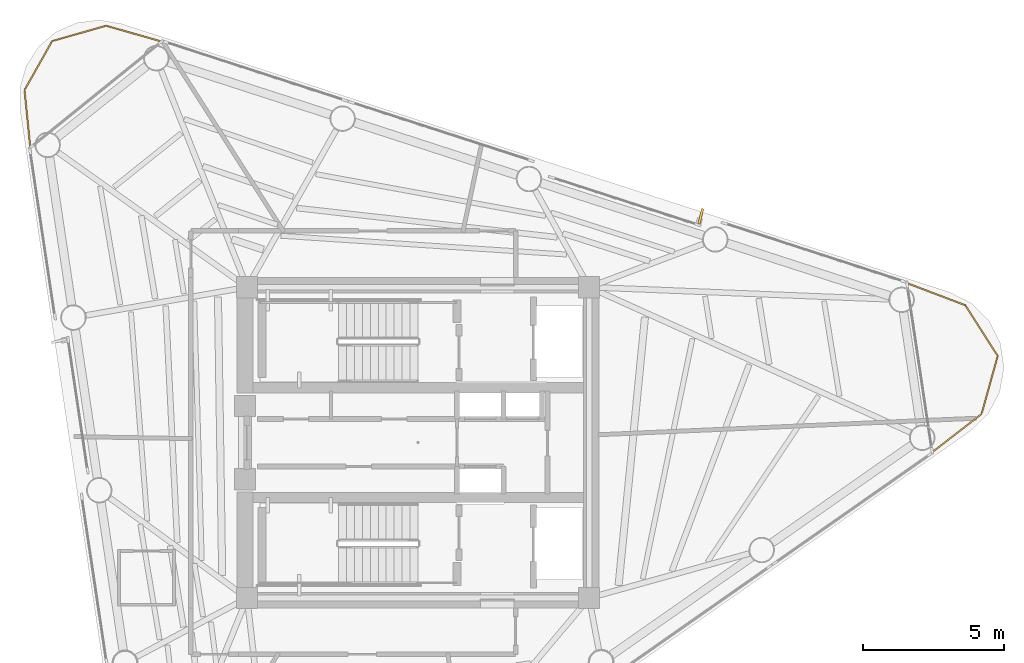
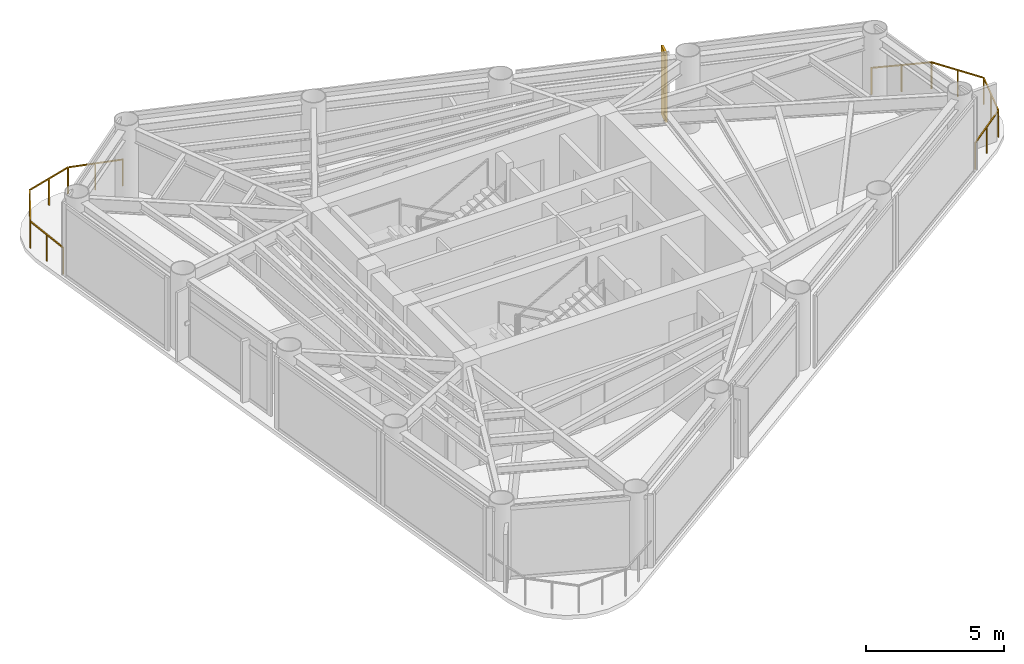
# One storey, part 9 of 9: 2 railings, 1 shading device.
"""IFC4 building model written with IfcOpenShell, lengths in metres."""

from ifc_helpers import new_model, si_unit, direction, frame, origin, origin_2d, place, context, subcontext, project, spatial, rectangle, extrude, source, transform, mapped, material, material_profile, profile_set, type_object, element, save


model = new_model("IFC4")

# Units and contexts
model_context = context("Model", 3, precision=1e-05, world=origin(), true_north=direction((0.0, 1.0)))
body_context = subcontext(model_context, "Body", "Model", "MODEL_VIEW")
ifc_project = project(units=[si_unit("LENGTHUNIT", "METRE"), si_unit("AREAUNIT", "SQUARE_METRE"), si_unit("VOLUMEUNIT", "CUBIC_METRE"), si_unit("PLANEANGLEUNIT", "RADIAN"), si_unit("MASSUNIT", "GRAM", prefix="KILO")], contexts=[model_context])

# Site, building, storey
site_placement = place(None, origin())
site = spatial("IfcSite", under=ifc_project, at=site_placement, CompositionType="ELEMENT")
building_placement = place(site_placement, origin())
building = spatial("IfcBuilding", under=site, at=building_placement, Name="Yunling Apex Tower", CompositionType="ELEMENT")
storey_placement = place(building_placement, frame((0.0, 0.0, 281.35009765625)))
storey = spatial("IfcBuildingStorey", under=building, at=storey_placement, Name="L69", CompositionType="ELEMENT", Elevation=281.35009765625)

# Railings
ifc_material = material(Name="Bronze anodised aluminium", Category="aluminium")
railing_type = type_object("IfcRailingType", Name="RL-BAL-1200", PredefinedType="BALUSTRADE", material=ifc_material)
railing_1_placement = place(storey_placement, frame((17.301513671875, 5.64208984375, 0.0)))
element("IfcRailing", 1, at=railing_1_placement, inside=storey, type_object=railing_type, Name="RL-CRNSILL-L69-1", PredefinedType="BALUSTRADE", context=body_context, shape_type="SweptSolid", body=[
    extrude(rectangle(XDim=0.0439453125, YDim=0.0439453125, at=origin_2d()), origin(), (0.0, 0.0, 1.0), 1.199951171875),
    extrude(rectangle(XDim=0.0439453125, YDim=0.0439453125, at=origin_2d()), frame((2.06103515625, -0.78125, 0.0)), (0.0, 0.0, 1.0), 1.199951171875),
    extrude(rectangle(XDim=0.050048828125, YDim=0.050048828125, at=origin_2d()), frame((0.035888671875, -0.013671875, 1.1748046875), z_axis=(0.935076028929, -0.354447203574, 0.0), x_axis=(0.354447203574, 0.935076028929, 0.0)), (0.0, 0.0, 1.0), 2.12744140625),
    extrude(rectangle(XDim=0.0439453125, YDim=0.0439453125, at=origin_2d()), frame((1.030517578125, -0.390625, 0.0)), (0.0, 0.0, 1.0), 1.14599609375),
    extrude(rectangle(XDim=0.0439453125, YDim=0.0439453125, at=origin_2d()), frame((3.207275390625, -2.576904296875, 0.0)), (0.0, 0.0, 1.0), 1.199951171875),
    extrude(rectangle(XDim=0.050048828125, YDim=0.050048828125, at=origin_2d()), frame((2.08154296875, -0.8134765625, 1.1748046875), z_axis=(0.538061440176, -0.842905621405, 0.0), x_axis=(0.842905621405, 0.538061440176, 0.0)), (0.0, 0.0, 1.0), 2.0537109375),
    extrude(rectangle(XDim=0.0439453125, YDim=0.0439453125, at=origin_2d()), frame((2.63427734375, -1.67919921875, 0.0)), (0.0, 0.0, 1.0), 1.14599609375),
    extrude(rectangle(XDim=0.0439453125, YDim=0.0439453125, at=origin_2d()), frame((2.63623046875, -4.62939453125, 0.0)), (0.0, 0.0, 1.0), 1.199951171875),
    extrude(rectangle(XDim=0.050048828125, YDim=0.050048828125, at=origin_2d()), frame((3.197021484375, -2.61376953125, 1.1748046875), z_axis=(-0.268039837369, -0.963407829314, 0.0), x_axis=(0.963407829314, -0.268039837369, 0.0)), (0.0, 0.0, 1.0), 2.0537109375),
    extrude(rectangle(XDim=0.0439453125, YDim=0.0439453125, at=origin_2d()), frame((2.921875, -3.60302734375, 0.0)), (0.0, 0.0, 1.0), 1.14599609375),
    extrude(rectangle(XDim=0.0439453125, YDim=0.0439453125, at=origin_2d()), frame((0.8935546875, -5.979248046875, 0.0)), (0.0, 0.0, 1.0), 1.199951171875),
    extrude(rectangle(XDim=0.050048828125, YDim=0.050048828125, at=origin_2d()), frame((2.60595703125, -4.65283203125, 1.1748046875), z_axis=(-0.790573223341, -0.612367519172, 0.0), x_axis=(0.612367519172, -0.790573223341, 0.0)), (0.0, 0.0, 1.0), 2.127685546875),
    extrude(rectangle(XDim=0.0439453125, YDim=0.0439453125, at=origin_2d()), frame((1.764892578125, -5.30419921875, 0.0)), (0.0, 0.0, 1.0), 1.14599609375),
])
railing_2_placement = place(storey_placement, frame((-13.722900390625, 10.44091796875, 0.0)))
element("IfcRailing", 2, at=railing_2_placement, inside=storey, type_object=railing_type, Name="RL-CRNSILL-L69-2", PredefinedType="BALUSTRADE", context=body_context, shape_type="SweptSolid", body=[
    extrude(rectangle(XDim=0.0439453125, YDim=0.0439453125, at=origin_2d()), origin(), (0.0, 0.0, 1.0), 1.199951171875),
    extrude(rectangle(XDim=0.0439453125, YDim=0.0439453125, at=origin_2d()), frame((-0.20361328125, 2.0341796875, 0.0)), (0.0, 0.0, 1.0), 1.199951171875),
    extrude(rectangle(XDim=0.050048828125, YDim=0.050048828125, at=origin_2d()), frame((-0.00390625, 0.0380859375, 1.1748046875), z_axis=(-0.099598310599, 0.995027726511, 0.0), x_axis=(-0.995027726511, -0.099598310599, 0.0)), (0.0, 0.0, 1.0), 1.9677734375),
    extrude(rectangle(XDim=0.0439453125, YDim=0.0439453125, at=origin_2d()), frame((-0.101806640625, 1.01708984375, 0.0)), (0.0, 0.0, 1.0), 1.14599609375),
    extrude(rectangle(XDim=0.0439453125, YDim=0.0439453125, at=origin_2d()), frame((0.774169921875, 3.7666015625, 0.0)), (0.0, 0.0, 1.0), 1.199951171875),
    extrude(rectangle(XDim=0.050048828125, YDim=0.050048828125, at=origin_2d()), frame((-0.184814453125, 2.067626953125, 1.1748046875), z_axis=(0.491519311586, 0.870866675409, 0.0), x_axis=(-0.870866675409, 0.491519311586, 0.0)), (0.0, 0.0, 1.0), 1.91259765625),
    extrude(rectangle(XDim=0.0439453125, YDim=0.0439453125, at=origin_2d()), frame((0.28515625, 2.900390625, 0.0)), (0.0, 0.0, 1.0), 1.14599609375),
    extrude(rectangle(XDim=0.0439453125, YDim=0.0439453125, at=origin_2d()), frame((2.68115234375, 4.3095703125, 0.0)), (0.0, 0.0, 1.0), 1.199951171875),
    extrude(rectangle(XDim=0.050048828125, YDim=0.050048828125, at=origin_2d()), frame((0.81103515625, 3.777099609375, 1.1748046875), z_axis=(0.961774454599, 0.273842835364, 0.0), x_axis=(-0.273842835364, 0.961774454599, 0.0)), (0.0, 0.0, 1.0), 1.906005859375),
    extrude(rectangle(XDim=0.0439453125, YDim=0.0439453125, at=origin_2d()), frame((1.7275390625, 4.0380859375, 0.0)), (0.0, 0.0, 1.0), 1.14599609375),
    extrude(rectangle(XDim=0.0439453125, YDim=0.0439453125, at=origin_2d()), frame((4.6484375, 3.7509765625, 0.0)), (0.0, 0.0, 1.0), 1.199951171875),
    extrude(rectangle(XDim=0.050048828125, YDim=0.050048828125, at=origin_2d()), frame((2.718017578125, 4.299072265625, 1.1748046875), z_axis=(0.961973149689, -0.273144026618, 0.0), x_axis=(0.273144026618, 0.961973149689, 0.0)), (0.0, 0.0, 1.0), 1.968505859375),
    extrude(rectangle(XDim=0.0439453125, YDim=0.0439453125, at=origin_2d()), frame((3.664794921875, 4.0302734375, 0.0)), (0.0, 0.0, 1.0), 1.14599609375),
])

# Shading device
ifc_material_profile = material_profile(ifc_material, rectangle(XDim=0.0849609375, YDim=0.550048828125, at=origin_2d()))
ifc_profile_set = profile_set([ifc_material_profile], Name="Bronze anodised aluminium")
shading_device_type = type_object("IfcShadingDeviceType", Name="FN-BRZ-3", PredefinedType="USERDEFINED", material=ifc_profile_set)
shared_shape = source(origin(), body_context, "Body", "SweptSolid", [
    extrude(rectangle(XDim=0.0849609375, YDim=0.550048828125, at=origin_2d()), origin(), (0.0, 0.0, 1.0), 3.06005859375),
])
shading_device_placement = place(storey_placement, frame((10.0048828125, 8.012451171875, 0.059814453125), z_axis=(0.0, 0.0, 1.0), x_axis=(-0.969402520914, 0.245476582274, 0.0)))
element("IfcShadingDevice", 3, at=shading_device_placement, inside=storey, type_object=shading_device_type, Name="CW-L69-F2-B2-FIN-01", ObjectType="FIN", PredefinedType="USERDEFINED", context=body_context, shape_type="MappedRepresentation", body=[
    mapped(shared_shape, transform((0.0, 0.0, 0.0), scale=1.0)),
])

save(model, "model.ifc")
